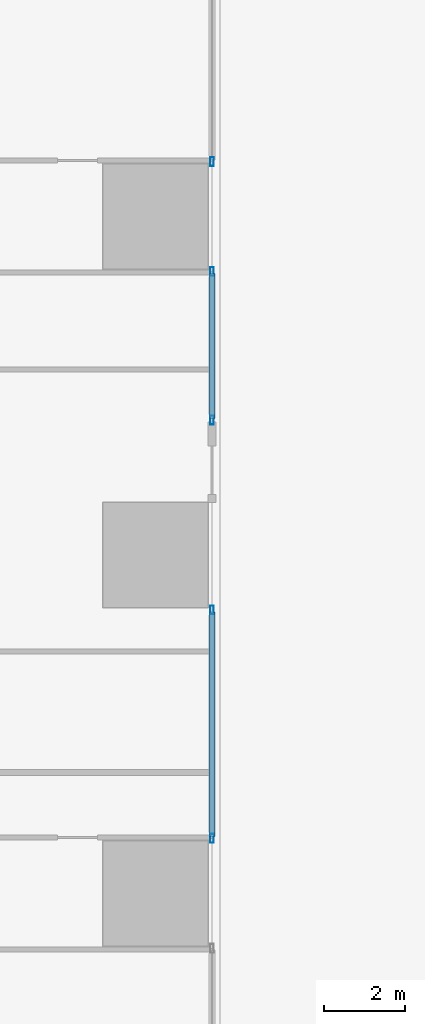
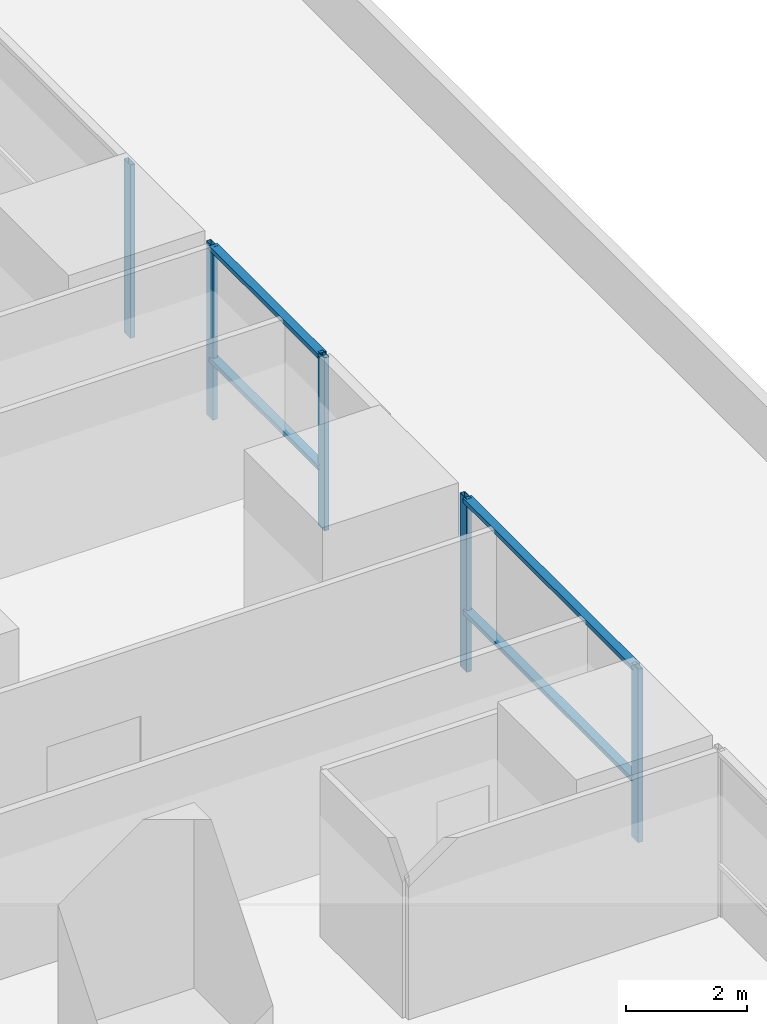
# One storey, part 15 of 35: 9 members, 3 elements without a shape of their own.
"""IFC4 building model written with IfcOpenShell, lengths in metres."""

from ifc_helpers import new_model, si_unit, direction, frame, origin, origin_2d, place, context, subcontext, project, spatial, hollow_rectangle, extrude, material, material_profile, profile_set, type_object, element, aggregate, save


model = new_model("IFC4")

# Units and contexts
model_context = context("Model", 3, precision=1e-05, world=origin(), true_north=direction((0.0, 1.0)))
body_context = subcontext(model_context, "Body", "Model", "MODEL_VIEW")
ifc_project = project(units=[si_unit("LENGTHUNIT", "METRE"), si_unit("AREAUNIT", "SQUARE_METRE"), si_unit("VOLUMEUNIT", "CUBIC_METRE"), si_unit("PLANEANGLEUNIT", "RADIAN"), si_unit("MASSUNIT", "GRAM", prefix="KILO")], contexts=[model_context])

# Site, building, storey
site_placement = place(None, origin())
site = spatial("IfcSite", under=ifc_project, at=site_placement, CompositionType="ELEMENT")
building_placement = place(site_placement, origin())
building = spatial("IfcBuilding", under=site, at=building_placement, Name="Rekha Terrace Tower", CompositionType="ELEMENT")
storey_placement = place(building_placement, frame((0.0, 0.0, 25.39990234375)))
storey = spatial("IfcBuildingStorey", under=building, at=storey_placement, Name="L05", CompositionType="ELEMENT", Elevation=25.39990234375)

# Curtain wall, members
ifc_material_1 = material(Name="Aluminium framing", Category="aluminium")
curtain_wall_type = type_object("IfcCurtainWallType", Name="CW5 sky garden glazing", PredefinedType="USERDEFINED", material=ifc_material_1)
curtain_wall_1_placement = place(storey_placement, origin())
curtain_wall_1 = element("IfcCurtainWall", 1, at=curtain_wall_1_placement, inside=storey, type_object=curtain_wall_type, Name="CW5 sky garden curtain wall", ObjectType="SKY GARDEN CURTAIN WALL", PredefinedType="USERDEFINED")
ifc_material_2 = material(Name="Aluminium mullion section", Category="aluminium")
ifc_material_profile_1 = material_profile(ifc_material_2, hollow_rectangle(XDim=0.090087890625, YDim=0.219970703125, WallThickness=0.00390625, at=origin_2d()), Name="AL RHS 90x220")
ifc_profile_set_1 = profile_set([ifc_material_profile_1], Name="Aluminium mullion section")
member_type_1 = type_object("IfcMemberType", Name="CW5 mullion RHS 90 x 220", PredefinedType="MULLION", material=ifc_profile_set_1)
member_1_placement = place(storey_placement, frame((68.60009765625, 26.56494140625, 0.0), z_axis=(0.0, 0.0, 1.0), x_axis=(-1.0, 0.0, 0.0)))
member_1 = element("IfcMember", 2, at=member_1_placement, type_object=member_type_1, Name="CW5 mullion 1", PredefinedType="MULLION", context=body_context, shape_type="SweptSolid", body=[
    extrude(hollow_rectangle(XDim=0.090087890625, YDim=0.219970703125, WallThickness=0.00390625, at=origin_2d()), origin(), (0.0, 0.0, 1.0), 3.5),
])
member_2_placement = place(storey_placement, frame((68.60009765625, 32.235107421875, 0.0), z_axis=(0.0, 0.0, 1.0), x_axis=(-1.0, 0.0, 0.0)))
member_2 = element("IfcMember", 3, at=member_2_placement, type_object=member_type_1, Name="CW5 mullion 2", PredefinedType="MULLION", context=body_context, shape_type="SweptSolid", body=[
    extrude(hollow_rectangle(XDim=0.090087890625, YDim=0.219970703125, WallThickness=0.00390625, at=origin_2d()), origin(), (0.0, 0.0, 1.0), 3.5),
])

curtain_wall_2_placement = place(storey_placement, origin())
curtain_wall_2 = element("IfcCurtainWall", 4, at=curtain_wall_2_placement, inside=storey, type_object=curtain_wall_type, Name="CW5 sky garden curtain wall", ObjectType="SKY GARDEN CURTAIN WALL", PredefinedType="USERDEFINED")
member_3_placement = place(storey_placement, frame((68.60009765625, 36.945068359375, 0.0), z_axis=(0.0, 0.0, 1.0), x_axis=(-1.0, 0.0, 0.0)))
member_3 = element("IfcMember", 5, at=member_3_placement, type_object=member_type_1, Name="CW5 mullion 1", PredefinedType="MULLION", context=body_context, shape_type="SweptSolid", body=[
    extrude(hollow_rectangle(XDim=0.090087890625, YDim=0.219970703125, WallThickness=0.00390625, at=origin_2d()), origin(), (0.0, 0.0, 1.0), 3.5),
])
member_4_placement = place(storey_placement, frame((68.60009765625, 40.635009765625, 0.0), z_axis=(0.0, 0.0, 1.0), x_axis=(-1.0, 0.0, 0.0)))
member_4 = element("IfcMember", 6, at=member_4_placement, type_object=member_type_1, Name="CW5 mullion 2", PredefinedType="MULLION", context=body_context, shape_type="SweptSolid", body=[
    extrude(hollow_rectangle(XDim=0.090087890625, YDim=0.219970703125, WallThickness=0.00390625, at=origin_2d()), origin(), (0.0, 0.0, 1.0), 3.5),
])

# Curtain wall, member
curtain_wall_3_placement = place(storey_placement, origin())
curtain_wall_3 = element("IfcCurtainWall", 7, at=curtain_wall_3_placement, inside=storey, type_object=curtain_wall_type, Name="CW5 sky garden curtain wall", ObjectType="SKY GARDEN CURTAIN WALL", PredefinedType="USERDEFINED")
member_5_placement = place(storey_placement, frame((68.60009765625, 43.364990234375, 0.0), z_axis=(0.0, 0.0, 1.0), x_axis=(-1.0, 0.0, 0.0)))
member_5 = element("IfcMember", 8, at=member_5_placement, type_object=member_type_1, Name="CW5 mullion 1", PredefinedType="MULLION", context=body_context, shape_type="SweptSolid", body=[
    extrude(hollow_rectangle(XDim=0.090087890625, YDim=0.219970703125, WallThickness=0.00390625, at=origin_2d()), origin(), (0.0, 0.0, 1.0), 3.5),
])
aggregate(curtain_wall_3, [member_5])

# Member
ifc_material_3 = material(Name="Aluminium transom section", Category="aluminium")
ifc_material_profile_2 = material_profile(ifc_material_3, hollow_rectangle(XDim=0.159912109375, YDim=0.090087890625, WallThickness=0.0029296875, at=origin_2d()), Name="AL RHS 160x90")
ifc_profile_set_2 = profile_set([ifc_material_profile_2], Name="Aluminium transom section")
member_type_2 = type_object("IfcMemberType", Name="CW5 transom RHS 90 x 160", PredefinedType="USERDEFINED", material=ifc_profile_set_2)
member_6_placement = place(storey_placement, frame((68.60009765625, 26.610107421875, 1.2001953125), z_axis=(0.0, 1.0, 0.0), x_axis=(-1.0, 0.0, 0.0)))
member_6 = element("IfcMember", 9, at=member_6_placement, type_object=member_type_2, Name="CW5 transom 1.2", ObjectType="TRANSOM", PredefinedType="USERDEFINED", context=body_context, shape_type="SweptSolid", body=[
    extrude(hollow_rectangle(XDim=0.159912109375, YDim=0.090087890625, WallThickness=0.0029296875, at=origin_2d()), origin(), (0.0, 0.0, 1.0), 5.579833984375),
])

member_7_placement = place(storey_placement, frame((68.60009765625, 26.610107421875, 3.455078125), z_axis=(0.0, 1.0, 0.0), x_axis=(-1.0, 0.0, 0.0)))
member_7 = element("IfcMember", 10, at=member_7_placement, type_object=member_type_2, Name="CW5 transom 1.3", ObjectType="TRANSOM", PredefinedType="USERDEFINED", context=body_context, shape_type="SweptSolid", body=[
    extrude(hollow_rectangle(XDim=0.159912109375, YDim=0.090087890625, WallThickness=0.0029296875, at=origin_2d()), origin(), (0.0, 0.0, 1.0), 5.579833984375),
])

aggregate(curtain_wall_1, [member_1, member_2, member_6, member_7])

member_8_placement = place(storey_placement, frame((68.60009765625, 36.989990234375, 1.2001953125), z_axis=(0.0, 1.0, 0.0), x_axis=(-1.0, 0.0, 0.0)))
member_8 = element("IfcMember", 11, at=member_8_placement, type_object=member_type_2, Name="CW5 transom 1.2", ObjectType="TRANSOM", PredefinedType="USERDEFINED", context=body_context, shape_type="SweptSolid", body=[
    extrude(hollow_rectangle(XDim=0.159912109375, YDim=0.090087890625, WallThickness=0.0029296875, at=origin_2d()), origin(), (0.0, 0.0, 1.0), 3.60009765625),
])

member_9_placement = place(storey_placement, frame((68.60009765625, 36.989990234375, 3.455078125), z_axis=(0.0, 1.0, 0.0), x_axis=(-1.0, 0.0, 0.0)))
member_9 = element("IfcMember", 12, at=member_9_placement, type_object=member_type_2, Name="CW5 transom 1.3", ObjectType="TRANSOM", PredefinedType="USERDEFINED", context=body_context, shape_type="SweptSolid", body=[
    extrude(hollow_rectangle(XDim=0.159912109375, YDim=0.090087890625, WallThickness=0.0029296875, at=origin_2d()), origin(), (0.0, 0.0, 1.0), 3.60009765625),
])

aggregate(curtain_wall_2, [member_3, member_4, member_8, member_9])

save(model, "model.ifc")
